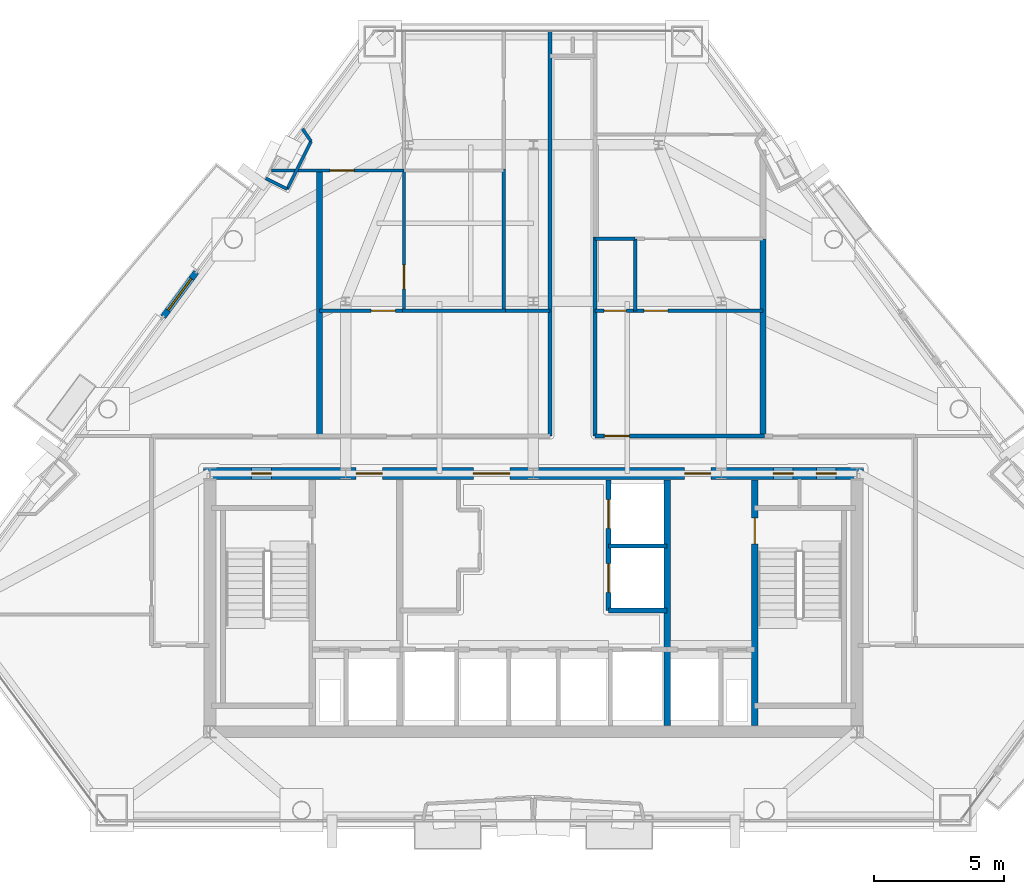
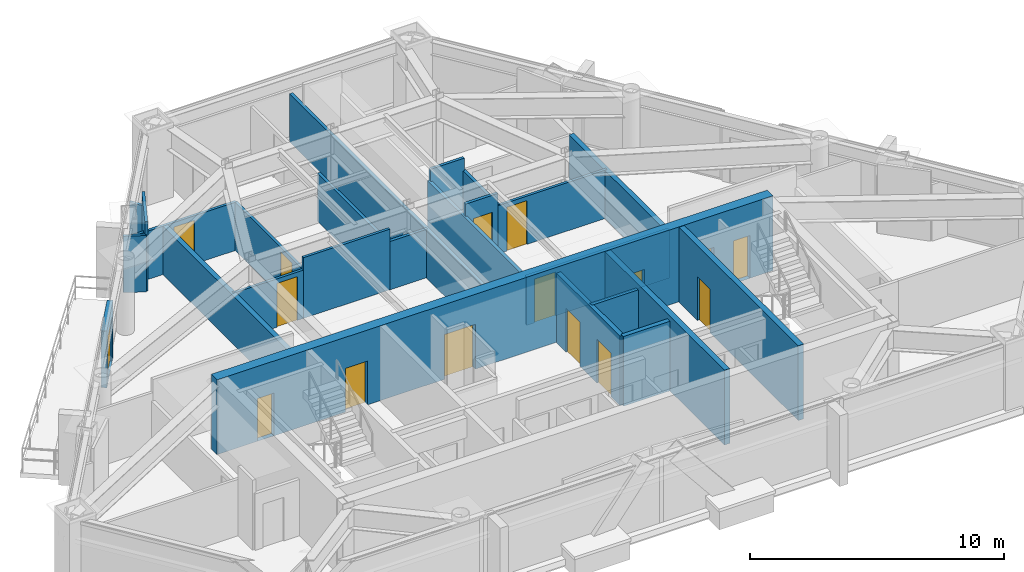
# One storey, part 8 of 11: 25 walls, 16 doors, 16 openings.
"""IFC4 building model written with IfcOpenShell, lengths in metres."""

from ifc_helpers import new_model, si_unit, direction, frame, frame_2d, origin, place, context, subcontext, project, spatial, rectangle, extrude, material, layer, layer_set, type_object, element, fill, save


model = new_model("IFC4")

# Units and contexts
model_context = context("Model", 3, precision=1e-05, world=origin(), true_north=direction((0.0, 1.0)))
body_context = subcontext(model_context, "Body", "Model", "MODEL_VIEW")
ifc_project = project(units=[si_unit("LENGTHUNIT", "METRE"), si_unit("AREAUNIT", "SQUARE_METRE"), si_unit("VOLUMEUNIT", "CUBIC_METRE"), si_unit("PLANEANGLEUNIT", "RADIAN"), si_unit("MASSUNIT", "GRAM", prefix="KILO")], contexts=[model_context])

# Site, building, storey
site_placement = place(None, origin())
site = spatial("IfcSite", under=ifc_project, at=site_placement, CompositionType="ELEMENT")
building_placement = place(site_placement, origin())
building = spatial("IfcBuilding", under=site, at=building_placement, Name="Talgorran Terracotta Tower", CompositionType="ELEMENT")
storey_placement = place(building_placement, frame((0.0, 0.0, 110.39990234375)))
storey = spatial("IfcBuildingStorey", under=building, at=storey_placement, Name="L28", CompositionType="ELEMENT", Elevation=110.39990234375)

# Wall, opening, door
ifc_material_1 = material(Name="Concrete C40/50", Category="concrete")
ifc_layer_1 = layer(ifc_material_1, 0.239990234375, Name="WT_BALCONY_SPAND")
ifc_layer_set_1 = layer_set([ifc_layer_1], Name="Concrete C40/50")
wall_type_1 = type_object("IfcWallType", Name="WT_BALCONY_SPAND", PredefinedType="STANDARD", material=ifc_layer_set_1)
wall_1_placement = place(storey_placement, frame((-12.92626953125, 3.52783203125, -0.014892578125), z_axis=(0.0, 0.0, 1.0), x_axis=(-0.594840056707, -0.803844081235, 0.0)))
wall_1 = element("IfcWall", 1, at=wall_1_placement, inside=storey, type_object=wall_type_1, Name="WL-L28-BALP-BAL-NW", PredefinedType="STANDARD", context=body_context, shape_type="SweptSolid", body=[
    extrude(rectangle(XDim=2.139892578125, YDim=0.239990234375, at=frame_2d((1.06982421875, 0.0))), origin(), (0.0, 0.0, 1.0), 2.728271484375),
])
opening_1_placement = place(wall_1_placement, frame((0.320068359375, 0.0, 0.014892578125)))
opening_1 = element("IfcOpeningElement", 2, at=opening_1_placement, cuts=wall_1, Name="Opening D-BAL-L28-2", PredefinedType="OPENING", context=body_context, shape_type="SweptSolid", body=[
    extrude(rectangle(XDim=1.506, YDim=2.203951171875, at=frame_2d((0.75, 1.10205078125))), frame((0.0, 0.1298828125, 0.0), z_axis=(0.0, -1.0, 0.0), x_axis=(1.0, 0.0, 0.0)), (0.0, 0.0, 1.0), 0.260009765625),
])
ifc_material_2 = material(Name="Thermally Broken Aluminium", Category="aluminium")
door_type_1 = type_object("IfcDoorType", Name="DT_BALC_1500", OperationType="SLIDING_TO_RIGHT", PredefinedType="DOOR", material=ifc_material_2)
door_1_placement = place(opening_1_placement, origin())
door_1 = element("IfcDoor", 3, at=door_1_placement, inside=storey, type_object=door_type_1, Name="DR-L28-BAL-BAL-NW", OperationType="SLIDING_TO_RIGHT", OverallHeight=2.199951171875, OverallWidth=1.5, PredefinedType="DOOR", context=body_context, shape_type="SweptSolid", body=[
    extrude(rectangle(XDim=1.5, YDim=2.199951171875, at=frame_2d((0.75, 1.10009765625))), frame((0.0, 0.02490234375, 0.0), z_axis=(0.0, -1.0, 0.0), x_axis=(1.0, 0.0, 0.0)), (0.0, 0.0, 1.0), 0.050048828125),
])
fill(opening_1, door_1)

# Wall, openings, doors
ifc_material_3 = material(Name="Concrete C50/60", Category="concrete")
ifc_layer_2 = layer(ifc_material_3, 0.199951171875, Name="WT_CORE_200")
ifc_layer_set_2 = layer_set([ifc_layer_2], Name="Concrete C50/60")
wall_type_2 = type_object("IfcWallType", Name="WT_CORE_200", PredefinedType="SOLIDWALL", material=ifc_layer_set_2)
wall_2_placement = place(storey_placement, frame((2.8798828125, -9.449951171875, 0.0), z_axis=(0.0, 0.0, 1.0), x_axis=(0.0, 1.0, 0.0)))
wall_2 = element("IfcWall", 4, at=wall_2_placement, inside=storey, type_object=wall_type_2, Name="WL-L28-CW-V-E3", PredefinedType="SOLIDWALL", context=body_context, shape_type="SweptSolid", body=[
    extrude(rectangle(XDim=5.0, YDim=0.199951171875, at=frame_2d((2.5, 0.0))), origin(), (0.0, 0.0, 1.0), 3.35009765625),
])
opening_2_placement = place(wall_2_placement, frame((0.699951171875, 0.0, 0.0)))
opening_2 = element("IfcOpeningElement", 5, at=opening_2_placement, cuts=wall_2, Name="Opening LD-PLM1", PredefinedType="OPENING", context=body_context, shape_type="SweptSolid", body=[
    extrude(rectangle(XDim=1.10609765625, YDim=2.10409765625, at=frame_2d((0.550048828125, 1.052001953125))), frame((0.0, 0.10986328125, 0.0), z_axis=(0.0, -1.0, 0.0), x_axis=(1.0, 0.0, 0.0)), (0.0, 0.0, 1.0), 0.219970703125),
])
opening_3_placement = place(wall_2_placement, frame((3.14990234375, 0.0, 0.0)))
opening_3 = element("IfcOpeningElement", 6, at=opening_3_placement, cuts=wall_2, Name="Opening LD-PLM2", PredefinedType="OPENING", context=body_context, shape_type="SweptSolid", body=[
    extrude(rectangle(XDim=1.10609765625, YDim=2.10409765625, at=frame_2d((0.550048828125, 1.052001953125))), frame((0.0, 0.10986328125, 0.0), z_axis=(0.0, -1.0, 0.0), x_axis=(1.0, 0.0, 0.0)), (0.0, 0.0, 1.0), 0.219970703125),
])
ifc_material_4 = material(Name="Brushed Stainless Steel Grade 304", Category="steel")
door_type_2 = type_object("IfcDoorType", Name="DT_LIFT_LD1100", OperationType="DOUBLE_DOOR_SLIDING", PredefinedType="DOOR", material=ifc_material_4)
door_2_placement = place(opening_2_placement, origin())
door_2 = element("IfcDoor", 7, at=door_2_placement, inside=storey, type_object=door_type_2, Name="L28 Lift Landing Door LD-PLM1", OperationType="DOUBLE_DOOR_SLIDING", OverallHeight=2.10009765625, OverallWidth=1.10009765625, PredefinedType="DOOR", context=body_context, shape_type="SweptSolid", body=[
    extrude(rectangle(XDim=1.10009765625, YDim=2.10009765625, at=frame_2d((0.550048828125, 1.050048828125))), frame((0.0, 0.02490234375, 0.0), z_axis=(0.0, -1.0, 0.0), x_axis=(1.0, 0.0, 0.0)), (0.0, 0.0, 1.0), 0.050048828125),
])
fill(opening_2, door_2)
door_3_placement = place(opening_3_placement, origin())
door_3 = element("IfcDoor", 8, at=door_3_placement, inside=storey, type_object=door_type_2, Name="L28 Lift Landing Door LD-PLM2", OperationType="DOUBLE_DOOR_SLIDING", OverallHeight=2.10009765625, OverallWidth=1.10009765625, PredefinedType="DOOR", context=body_context, shape_type="SweptSolid", body=[
    extrude(rectangle(XDim=1.10009765625, YDim=2.10009765625, at=frame_2d((0.550048828125, 1.050048828125))), frame((0.0, 0.02490234375, 0.0), z_axis=(0.0, -1.0, 0.0), x_axis=(1.0, 0.0, 0.0)), (0.0, 0.0, 1.0), 0.050048828125),
])
fill(opening_3, door_3)

# Wall
wall_3_placement = place(storey_placement, frame((2.8798828125, -9.449951171875, 0.0), z_axis=(0.0, 0.0, 1.0), x_axis=(1.0, 0.0, 0.0)))
element("IfcWall", 9, at=wall_3_placement, inside=storey, type_object=wall_type_2, Name="WL-L28-CW-H-E4", PredefinedType="SOLIDWALL", context=body_context, shape_type="SweptSolid", body=[
    extrude(rectangle(XDim=2.240234375, YDim=0.199951171875, at=frame_2d((1.1201171875, 0.0))), origin(), (0.0, 0.0, 1.0), 3.35009765625),
])

# Wall, opening, door
ifc_layer_3 = layer(ifc_material_3, 0.25, Name="WT_CORE_250")
ifc_layer_set_3 = layer_set([ifc_layer_3], Name="Concrete C50/60")
wall_type_3 = type_object("IfcWallType", Name="WT_CORE_250", PredefinedType="SHEAR", material=ifc_layer_set_3)
wall_4_placement = place(storey_placement, frame((8.47998046875, -13.85009765625, 0.0), z_axis=(0.0, 0.0, 1.0), x_axis=(0.0, 1.0, 0.0)))
wall_4 = element("IfcWall", 10, at=wall_4_placement, inside=storey, type_object=wall_type_3, Name="WL-L28-CW-V-E1", PredefinedType="SHEAR", context=body_context, shape_type="SweptSolid", body=[
    extrude(rectangle(XDim=9.400146484375, YDim=0.25, at=frame_2d((4.7001953125, 0.0))), origin(), (0.0, 0.0, 1.0), 3.60009765625),
])
opening_4_placement = place(wall_4_placement, frame((6.949951171875, 0.0, 0.0)))
opening_4 = element("IfcOpeningElement", 11, at=opening_4_placement, cuts=wall_4, Name="Opening DR-ST02", PredefinedType="OPENING", context=body_context, shape_type="SweptSolid", body=[
    extrude(rectangle(XDim=1.006, YDim=2.10409765625, at=frame_2d((0.5, 1.052001953125))), frame((0.0, 0.135009765625, 0.0), z_axis=(0.0, -1.0, 0.0), x_axis=(1.0, 0.0, 0.0)), (0.0, 0.0, 1.0), 0.27001953125),
])
ifc_material_5 = material(Name="Fire-Rated Pressed Steel", Category="steel")
door_type_3 = type_object("IfcDoorType", Name="DT_FIRE_1000", OperationType="NOTDEFINED", PredefinedType="DOOR", material=ifc_material_5)
door_4_placement = place(opening_4_placement, origin())
door_4 = element("IfcDoor", 12, at=door_4_placement, inside=storey, type_object=door_type_3, Name="DR-ST02", OperationType="SINGLE_SWING_RIGHT", OverallHeight=2.10009765625, OverallWidth=1.0, PredefinedType="DOOR", context=body_context, shape_type="SweptSolid", body=[
    extrude(rectangle(XDim=1.0, YDim=2.10009765625, at=frame_2d((0.5, 1.050048828125))), frame((0.0, 0.02490234375, 0.0), z_axis=(0.0, -1.0, 0.0), x_axis=(1.0, 0.0, 0.0)), (0.0, 0.0, 1.0), 0.050048828125),
])
fill(opening_4, door_4)

# Wall
wall_5_placement = place(storey_placement, frame((5.1201171875, -13.85009765625, 0.0), z_axis=(0.0, 0.0, 1.0), x_axis=(0.0, 1.0, 0.0)))
element("IfcWall", 13, at=wall_5_placement, inside=storey, type_object=wall_type_3, Name="WL-L28-CW-V-E2", PredefinedType="SHEAR", context=body_context, shape_type="SweptSolid", body=[
    extrude(rectangle(XDim=9.400146484375, YDim=0.25, at=frame_2d((4.7001953125, 0.0))), origin(), (0.0, 0.0, 1.0), 3.60009765625),
])

# Wall, openings, doors
ifc_material_6 = material(Name="Concrete C65/80", Category="concrete")
ifc_layer_4 = layer(ifc_material_6, 0.449951171875, Name="WT_CORE_EXT")
ifc_layer_set_4 = layer_set([ifc_layer_4], Name="Concrete C65/80")
wall_type_4 = type_object("IfcWallType", Name="WT_CORE_EXT", PredefinedType="SHEAR", material=ifc_layer_set_4)
wall_6_placement = place(storey_placement, frame((-12.64990234375, -4.199951171875, 0.0), z_axis=(0.0, 0.0, 1.0), x_axis=(1.0, 0.0, 0.0)))
wall_6 = element("IfcWall", 14, at=wall_6_placement, inside=storey, type_object=wall_type_4, Name="WL-L28-CW-OUT-N", PredefinedType="SHEAR", context=body_context, shape_type="SweptSolid", body=[
    extrude(rectangle(XDim=25.2998046875, YDim=0.449951171875, at=frame_2d((12.64990234375, 0.0))), origin(), (0.0, 0.0, 1.0), 3.60009765625),
])
opening_5_placement = place(wall_6_placement, frame((1.85009765625, 0.0, 0.0)))
opening_5 = element("IfcOpeningElement", 15, at=opening_5_placement, cuts=wall_6, Name="Opening DR-CSN1", PredefinedType="OPENING", context=body_context, shape_type="SweptSolid", body=[
    extrude(rectangle(XDim=0.756, YDim=2.054048828125, at=frame_2d((0.375, 1.027099609375))), frame((0.0, 0.23486328125, 0.0), z_axis=(0.0, -1.0, 0.0), x_axis=(1.0, 0.0, 0.0)), (0.0, 0.0, 1.0), 0.469970703125),
])
opening_6_placement = place(wall_6_placement, frame((21.85009765625, 0.0, 0.0)))
opening_6 = element("IfcOpeningElement", 16, at=opening_6_placement, cuts=wall_6, Name="Opening DR-CSN2", PredefinedType="OPENING", context=body_context, shape_type="SweptSolid", body=[
    extrude(rectangle(XDim=0.756, YDim=2.054048828125, at=frame_2d((0.375, 1.027099609375))), frame((0.0, 0.23486328125, 0.0), z_axis=(0.0, -1.0, 0.0), x_axis=(1.0, 0.0, 0.0)), (0.0, 0.0, 1.0), 0.469970703125),
])
opening_7_placement = place(wall_6_placement, frame((23.5, 0.0, 0.0)))
opening_7 = element("IfcOpeningElement", 17, at=opening_7_placement, cuts=wall_6, Name="Opening DR-CSN3", PredefinedType="OPENING", context=body_context, shape_type="SweptSolid", body=[
    extrude(rectangle(XDim=0.756, YDim=2.054048828125, at=frame_2d((0.375, 1.027099609375))), frame((0.0, 0.23486328125, 0.0), z_axis=(0.0, -1.0, 0.0), x_axis=(1.0, 0.0, 0.0)), (0.0, 0.0, 1.0), 0.469970703125),
])
opening_8_placement = place(wall_6_placement, frame((5.85009765625, 0.0, 0.0)))
opening_8 = element("IfcOpeningElement", 18, at=opening_8_placement, cuts=wall_6, Name="Opening DR-FFLW-N", PredefinedType="OPENING", context=body_context, shape_type="SweptSolid", body=[
    extrude(rectangle(XDim=1.006, YDim=2.10409765625, at=frame_2d((0.5, 1.052001953125))), frame((0.0, 0.23486328125, 0.0), z_axis=(0.0, -1.0, 0.0), x_axis=(1.0, 0.0, 0.0)), (0.0, 0.0, 1.0), 0.469970703125),
])
opening_9_placement = place(wall_6_placement, frame((10.35009765625, 0.0, 0.0)))
opening_9 = element("IfcOpeningElement", 19, at=opening_9_placement, cuts=wall_6, Name="Opening DR-PLL-N", PredefinedType="OPENING", context=body_context, shape_type="SweptSolid", body=[
    extrude(rectangle(XDim=1.40590234375, YDim=2.15390234375, at=frame_2d((0.699951171875, 1.076904296875))), frame((0.0, 0.23486328125, 0.0), z_axis=(0.0, -1.0, 0.0), x_axis=(1.0, 0.0, 0.0)), (0.0, 0.0, 1.0), 0.469970703125),
])
opening_10_placement = place(wall_6_placement, frame((18.449951171875, 0.0, 0.0)))
opening_10 = element("IfcOpeningElement", 20, at=opening_10_placement, cuts=wall_6, Name="Opening DR-FFLE-N", PredefinedType="OPENING", context=body_context, shape_type="SweptSolid", body=[
    extrude(rectangle(XDim=1.006, YDim=2.10409765625, at=frame_2d((0.5, 1.052001953125))), frame((0.0, 0.23486328125, 0.0), z_axis=(0.0, -1.0, 0.0), x_axis=(1.0, 0.0, 0.0)), (0.0, 0.0, 1.0), 0.469970703125),
])
ifc_material_7 = material(Name="Acoustic Glazed Timber", Category="wood")
door_type_4 = type_object("IfcDoorType", Name="DT_DOUBLE_1400", OperationType="DOUBLE_DOOR_SINGLE_SWING", PredefinedType="DOOR", material=ifc_material_7)
door_5_placement = place(opening_9_placement, origin())
door_5 = element("IfcDoor", 21, at=door_5_placement, inside=storey, type_object=door_type_4, Name="DR-PLL-N", OperationType="DOUBLE_DOOR_SINGLE_SWING", OverallHeight=2.14990234375, OverallWidth=1.39990234375, PredefinedType="DOOR", context=body_context, shape_type="SweptSolid", body=[
    extrude(rectangle(XDim=1.39990234375, YDim=2.14990234375, at=frame_2d((0.699951171875, 1.074951171875))), frame((0.0, 0.02490234375, 0.0), z_axis=(0.0, -1.0, 0.0), x_axis=(1.0, 0.0, 0.0)), (0.0, 0.0, 1.0), 0.050048828125),
])
fill(opening_9, door_5)
door_6_placement = place(opening_8_placement, origin())
door_6 = element("IfcDoor", 22, at=door_6_placement, inside=storey, type_object=door_type_3, Name="DR-FFLW-N", OperationType="SINGLE_SWING_LEFT", OverallHeight=2.10009765625, OverallWidth=1.0, PredefinedType="DOOR", context=body_context, shape_type="SweptSolid", body=[
    extrude(rectangle(XDim=1.0, YDim=2.10009765625, at=frame_2d((0.5, 1.050048828125))), frame((0.0, 0.02490234375, 0.0), z_axis=(0.0, -1.0, 0.0), x_axis=(1.0, 0.0, 0.0)), (0.0, 0.0, 1.0), 0.050048828125),
])
fill(opening_8, door_6)
door_7_placement = place(opening_10_placement, origin())
door_7 = element("IfcDoor", 23, at=door_7_placement, inside=storey, type_object=door_type_3, Name="DR-FFLE-N", OperationType="SINGLE_SWING_RIGHT", OverallHeight=2.10009765625, OverallWidth=1.0, PredefinedType="DOOR", context=body_context, shape_type="SweptSolid", body=[
    extrude(rectangle(XDim=1.0, YDim=2.10009765625, at=frame_2d((0.5, 1.050048828125))), frame((0.0, 0.02490234375, 0.0), z_axis=(0.0, -1.0, 0.0), x_axis=(1.0, 0.0, 0.0)), (0.0, 0.0, 1.0), 0.050048828125),
])
fill(opening_10, door_7)
door_type_5 = type_object("IfcDoorType", Name="DT_RISER_750", OperationType="NOTDEFINED", PredefinedType="DOOR", material=ifc_material_5)
door_8_placement = place(opening_5_placement, origin())
door_8 = element("IfcDoor", 24, at=door_8_placement, inside=storey, type_object=door_type_5, Name="DR-CSN1", OperationType="SINGLE_SWING_LEFT", OverallHeight=2.050048828125, OverallWidth=0.75, PredefinedType="DOOR", context=body_context, shape_type="SweptSolid", body=[
    extrude(rectangle(XDim=0.75, YDim=2.050048828125, at=frame_2d((0.375, 1.02490234375))), frame((0.0, 0.02490234375, 0.0), z_axis=(0.0, -1.0, 0.0), x_axis=(1.0, 0.0, 0.0)), (0.0, 0.0, 1.0), 0.050048828125),
])
fill(opening_5, door_8)
door_9_placement = place(opening_6_placement, origin())
door_9 = element("IfcDoor", 25, at=door_9_placement, inside=storey, type_object=door_type_5, Name="DR-CSN2", OperationType="SINGLE_SWING_LEFT", OverallHeight=2.050048828125, OverallWidth=0.75, PredefinedType="DOOR", context=body_context, shape_type="SweptSolid", body=[
    extrude(rectangle(XDim=0.75, YDim=2.050048828125, at=frame_2d((0.375, 1.02490234375))), frame((0.0, 0.02490234375, 0.0), z_axis=(0.0, -1.0, 0.0), x_axis=(1.0, 0.0, 0.0)), (0.0, 0.0, 1.0), 0.050048828125),
])
fill(opening_6, door_9)
door_10_placement = place(opening_7_placement, origin())
door_10 = element("IfcDoor", 26, at=door_10_placement, inside=storey, type_object=door_type_5, Name="DR-CSN3", OperationType="SINGLE_SWING_RIGHT", OverallHeight=2.050048828125, OverallWidth=0.75, PredefinedType="DOOR", context=body_context, shape_type="SweptSolid", body=[
    extrude(rectangle(XDim=0.75, YDim=2.050048828125, at=frame_2d((0.375, 1.02490234375))), frame((0.0, 0.02490234375, 0.0), z_axis=(0.0, -1.0, 0.0), x_axis=(1.0, 0.0, 0.0)), (0.0, 0.0, 1.0), 0.050048828125),
])
fill(opening_7, door_10)

# Wall
ifc_material_8 = material(Name="Fire-Rated Steel Stud Plasterboard", Category="steel")
ifc_layer_5 = layer(ifc_material_8, 0.14990234375, Name="WT_FIRE_150")
ifc_layer_set_5 = layer_set([ifc_layer_5], Name="Fire-Rated Steel Stud Plasterboard")
wall_type_5 = type_object("IfcWallType", Name="WT_FIRE_150", PredefinedType="PARTITIONING", material=ifc_layer_set_5)
wall_7_placement = place(storey_placement, frame((0.639892578125, -2.760009765625, 0.0), z_axis=(0.0, 0.0, 1.0), x_axis=(0.0, 1.0, 0.0)))
element("IfcWall", 27, at=wall_7_placement, inside=storey, type_object=wall_type_5, Name="WL-L28-W-L28-R09", PredefinedType="PARTITIONING", context=body_context, shape_type="SweptSolid", body=[
    extrude(rectangle(XDim=15.522216796875, YDim=0.14990234375, at=frame_2d((7.76123046875, 0.0))), origin(), (0.0, 0.0, 1.0), 2.3251953125),
])

# Wall, opening, door
wall_8_placement = place(storey_placement, frame((2.360107421875, -2.760009765625, 0.0), z_axis=(0.0, 0.0, 1.0), x_axis=(1.0, 0.0, 0.0)))
wall_8 = element("IfcWall", 28, at=wall_8_placement, inside=storey, type_object=wall_type_5, Name="WL-L28-W-L28-R12", PredefinedType="PARTITIONING", context=body_context, shape_type="SweptSolid", body=[
    extrude(rectangle(XDim=6.5, YDim=0.14990234375, at=frame_2d((3.25, 0.0))), origin(), (0.0, 0.0, 1.0), 2.3251953125),
])
opening_11_placement = place(wall_8_placement, frame((0.359619140625, 0.0, 0.0)))
opening_11 = element("IfcOpeningElement", 29, at=opening_11_placement, cuts=wall_8, Name="Opening DR-L28-R12", PredefinedType="OPENING", context=body_context, shape_type="SweptSolid", body=[
    extrude(rectangle(XDim=0.955951171875, YDim=2.10409765625, at=frame_2d((0.47509765625, 1.052001953125))), frame((0.0, 0.0849609375, 0.0), z_axis=(0.0, -1.0, 0.0), x_axis=(1.0, 0.0, 0.0)), (0.0, 0.0, 1.0), 0.169921875),
])
ifc_material_9 = material(Name="Fire-Rated Timber Core", Category="wood")
door_type_6 = type_object("IfcDoorType", Name="DT_FIRE_950", OperationType="NOTDEFINED", PredefinedType="DOOR", material=ifc_material_9)
door_11_placement = place(opening_11_placement, origin())
door_11 = element("IfcDoor", 30, at=door_11_placement, inside=storey, type_object=door_type_6, Name="DR-L28-R12", OperationType="SINGLE_SWING_RIGHT", OverallHeight=2.10009765625, OverallWidth=0.949951171875, PredefinedType="DOOR", context=body_context, shape_type="SweptSolid", body=[
    extrude(rectangle(XDim=0.949951171875, YDim=2.10009765625, at=frame_2d((0.47509765625, 1.050048828125))), frame((0.0, 0.02490234375, 0.0), z_axis=(0.0, -1.0, 0.0), x_axis=(1.0, 0.0, 0.0)), (0.0, 0.0, 1.0), 0.050048828125),
])
fill(opening_11, door_11)

# Walls
wall_9_placement = place(storey_placement, frame((2.360107421875, -2.760009765625, 0.0), z_axis=(0.0, 0.0, 1.0), x_axis=(0.0, 1.0, 0.0)))
element("IfcWall", 31, at=wall_9_placement, inside=storey, type_object=wall_type_5, Name="WL-L28-W-L28-R11", PredefinedType="PARTITIONING", context=body_context, shape_type="SweptSolid", body=[
    extrude(rectangle(XDim=7.6201171875, YDim=0.14990234375, at=frame_2d((3.81005859375, 0.0))), origin(), (0.0, 0.0, 1.0), 2.3251953125),
])
ifc_material_10 = material(Name="Acoustic Masonry and Plasterboard", Category="masonry")
ifc_layer_6 = layer(ifc_material_10, 0.219970703125, Name="WT_PARTY_220")
ifc_layer_set_6 = layer_set([ifc_layer_6], Name="Acoustic Masonry and Plasterboard")
wall_type_6 = type_object("IfcWallType", Name="WT_PARTY_220", PredefinedType="PARTITIONING", material=ifc_layer_set_6)
wall_10_placement = place(storey_placement, frame((-8.199951171875, -2.760009765625, 0.0), z_axis=(0.0, 0.0, 1.0), x_axis=(0.0, 1.0, 0.0)))
element("IfcWall", 32, at=wall_10_placement, inside=storey, type_object=wall_type_6, Name="WL-L28-W-L28-R23", PredefinedType="PARTITIONING", context=body_context, shape_type="SweptSolid", body=[
    extrude(rectangle(XDim=10.239990234375, YDim=0.219970703125, at=frame_2d((5.1201171875, 0.0))), origin(), (0.0, 0.0, 1.0), 2.3251953125),
])
wall_11_placement = place(storey_placement, frame((8.800048828125, -2.760009765625, 0.0), z_axis=(0.0, 0.0, 1.0), x_axis=(0.0, 1.0, 0.0)))
element("IfcWall", 33, at=wall_11_placement, inside=storey, type_object=wall_type_6, Name="WL-L28-W-L28-R35", PredefinedType="PARTITIONING", context=body_context, shape_type="SweptSolid", body=[
    extrude(rectangle(XDim=7.56005859375, YDim=0.219970703125, at=frame_2d((3.780029296875, 0.0))), origin(), (0.0, 0.0, 1.0), 2.3251953125),
])

# Wall, opening, door
ifc_material_11 = material(Name="Insulated Steel Stud Plasterboard", Category="steel")
ifc_layer_7 = layer(ifc_material_11, 0.1201171875, Name="WT_PART_120")
ifc_layer_set_7 = layer_set([ifc_layer_7], Name="Insulated Steel Stud Plasterboard")
wall_type_7 = type_object("IfcWallType", Name="WT_PART_120", PredefinedType="PARTITIONING", material=ifc_layer_set_7)
wall_12_placement = place(storey_placement, frame((-4.9599609375, 2.0400390625, 0.0), z_axis=(0.0, 0.0, 1.0), x_axis=(0.0, 1.0, 0.0)))
wall_12 = element("IfcWall", 34, at=wall_12_placement, inside=storey, type_object=wall_type_7, Name="WL-L28-W-L28-R29", PredefinedType="PARTITIONING", context=body_context, shape_type="SweptSolid", body=[
    extrude(rectangle(XDim=5.3798828125, YDim=0.1201171875, at=frame_2d((2.68994140625, 0.0))), origin(), (0.0, 0.0, 1.0), 2.3251953125),
])
opening_12_placement = place(wall_12_placement, frame((0.836669921875, 0.0, 0.0)))
opening_12 = element("IfcOpeningElement", 35, at=opening_12_placement, cuts=wall_12, Name="Opening DR-L28-R09", PredefinedType="OPENING", context=body_context, shape_type="SweptSolid", body=[
    extrude(rectangle(XDim=0.925921875, YDim=2.10409765625, at=frame_2d((0.4599609375, 1.052001953125))), frame((0.0, 0.070068359375, 0.0), z_axis=(0.0, -1.0, 0.0), x_axis=(1.0, 0.0, 0.0)), (0.0, 0.0, 1.0), 0.14013671875),
])
ifc_material_12 = material(Name="Solid-Core Painted Timber", Category="wood")
door_type_7 = type_object("IfcDoorType", Name="DT_INT_920", OperationType="NOTDEFINED", PredefinedType="DOOR", material=ifc_material_12)
door_12_placement = place(opening_12_placement, origin())
door_12 = element("IfcDoor", 36, at=door_12_placement, inside=storey, type_object=door_type_7, Name="DR-L28-R09", OperationType="SINGLE_SWING_LEFT", OverallHeight=2.10009765625, OverallWidth=0.919921875, PredefinedType="DOOR", context=body_context, shape_type="SweptSolid", body=[
    extrude(rectangle(XDim=0.919921875, YDim=2.10009765625, at=frame_2d((0.4599609375, 1.050048828125))), frame((0.0, 0.02490234375, 0.0), z_axis=(0.0, -1.0, 0.0), x_axis=(1.0, 0.0, 0.0)), (0.0, 0.0, 1.0), 0.050048828125),
])
fill(opening_12, door_12)

wall_13_placement = place(storey_placement, frame((-10.04541015625, 7.419921875, 0.0), z_axis=(0.0, 0.0, 1.0), x_axis=(1.0, 0.0, 0.0)))
wall_13 = element("IfcWall", 37, at=wall_13_placement, inside=storey, type_object=wall_type_7, Name="WL-L28-W-L28-R30", PredefinedType="PARTITIONING", context=body_context, shape_type="SweptSolid", body=[
    extrude(rectangle(XDim=5.08544921875, YDim=0.1201171875, at=frame_2d((2.542724609375, 0.0))), origin(), (0.0, 0.0, 1.0), 2.3251953125),
])
opening_13_placement = place(wall_13_placement, frame((2.24560546875, 0.0, 0.0)))
opening_13 = element("IfcOpeningElement", 38, at=opening_13_placement, cuts=wall_13, Name="Opening DR-L28-R10", PredefinedType="OPENING", context=body_context, shape_type="SweptSolid", body=[
    extrude(rectangle(XDim=0.925921875, YDim=2.10409765625, at=frame_2d((0.4599609375, 1.052001953125))), frame((0.0, 0.070068359375, 0.0), z_axis=(0.0, -1.0, 0.0), x_axis=(1.0, 0.0, 0.0)), (0.0, 0.0, 1.0), 0.14013671875),
])
door_13_placement = place(opening_13_placement, origin())
door_13 = element("IfcDoor", 39, at=door_13_placement, inside=storey, type_object=door_type_7, Name="DR-L28-R10", OperationType="SINGLE_SWING_RIGHT", OverallHeight=2.10009765625, OverallWidth=0.919921875, PredefinedType="DOOR", context=body_context, shape_type="SweptSolid", body=[
    extrude(rectangle(XDim=0.919921875, YDim=2.10009765625, at=frame_2d((0.4599609375, 1.050048828125))), frame((0.0, 0.02490234375, 0.0), z_axis=(0.0, -1.0, 0.0), x_axis=(1.0, 0.0, 0.0)), (0.0, 0.0, 1.0), 0.050048828125),
])
fill(opening_13, door_13)

wall_14_placement = place(storey_placement, frame((3.840087890625, 2.0400390625, 0.0), z_axis=(0.0, 0.0, 1.0), x_axis=(1.0, 0.0, 0.0)))
wall_14 = element("IfcWall", 40, at=wall_14_placement, inside=storey, type_object=wall_type_7, Name="WL-L28-W-L28-R34", PredefinedType="PARTITIONING", context=body_context, shape_type="SweptSolid", body=[
    extrude(rectangle(XDim=4.9599609375, YDim=0.1201171875, at=frame_2d((2.47998046875, 0.0))), origin(), (0.0, 0.0, 1.0), 2.3251953125),
])
opening_14_placement = place(wall_14_placement, frame((0.397216796875, 0.0, 0.0)))
opening_14 = element("IfcOpeningElement", 41, at=opening_14_placement, cuts=wall_14, Name="Opening DR-L28-R14", PredefinedType="OPENING", context=body_context, shape_type="SweptSolid", body=[
    extrude(rectangle(XDim=0.925921875, YDim=2.10409765625, at=frame_2d((0.4599609375, 1.052001953125))), frame((0.0, 0.070068359375, 0.0), z_axis=(0.0, -1.0, 0.0), x_axis=(1.0, 0.0, 0.0)), (0.0, 0.0, 1.0), 0.14013671875),
])
door_14_placement = place(opening_14_placement, origin())
door_14 = element("IfcDoor", 42, at=door_14_placement, inside=storey, type_object=door_type_7, Name="DR-L28-R14", OperationType="SINGLE_SWING_RIGHT", OverallHeight=2.10009765625, OverallWidth=0.919921875, PredefinedType="DOOR", context=body_context, shape_type="SweptSolid", body=[
    extrude(rectangle(XDim=0.919921875, YDim=2.10009765625, at=frame_2d((0.4599609375, 1.050048828125))), frame((0.0, 0.02490234375, 0.0), z_axis=(0.0, -1.0, 0.0), x_axis=(1.0, 0.0, 0.0)), (0.0, 0.0, 1.0), 0.050048828125),
])
fill(opening_14, door_14)

# Wall
wall_15_placement = place(storey_placement, frame((-5.02001953125, 2.0400390625, 0.0), z_axis=(0.0, 0.0, 1.0), x_axis=(1.0, 0.0, 0.0)))
element("IfcWall", 43, at=wall_15_placement, inside=storey, type_object=wall_type_7, Name="WL-L28-W-L28-R26", PredefinedType="PARTITIONING", context=body_context, shape_type="SweptSolid", body=[
    extrude(rectangle(XDim=3.93994140625, YDim=0.1201171875, at=frame_2d((1.969970703125, 0.0))), origin(), (0.0, 0.0, 1.0), 2.918701171875),
])

# Wall, opening, door
wall_16_placement = place(storey_placement, frame((-8.199951171875, 2.0400390625, 0.0), z_axis=(0.0, 0.0, 1.0), x_axis=(1.0, 0.0, 0.0)))
wall_16 = element("IfcWall", 44, at=wall_16_placement, inside=storey, type_object=wall_type_7, Name="WL-L28-W-L28-R25", PredefinedType="PARTITIONING", context=body_context, shape_type="SweptSolid", body=[
    extrude(rectangle(XDim=3.177978515625, YDim=0.1201171875, at=frame_2d((1.5888671875, 0.0))), origin(), (0.0, 0.0, 1.0), 2.3251953125),
])
opening_15_placement = place(wall_16_placement, frame((1.982666015625, 0.0, 0.0)))
opening_15 = element("IfcOpeningElement", 45, at=opening_15_placement, cuts=wall_16, Name="Opening DR-L28-R08", PredefinedType="OPENING", context=body_context, shape_type="SweptSolid", body=[
    extrude(rectangle(XDim=0.925921875, YDim=2.10409765625, at=frame_2d((0.4599609375, 1.052001953125))), frame((0.0, 0.070068359375, 0.0), z_axis=(0.0, -1.0, 0.0), x_axis=(1.0, 0.0, 0.0)), (0.0, 0.0, 1.0), 0.14013671875),
])
door_15_placement = place(opening_15_placement, origin())
door_15 = element("IfcDoor", 46, at=door_15_placement, inside=storey, type_object=door_type_7, Name="DR-L28-R08", OperationType="SINGLE_SWING_RIGHT", OverallHeight=2.10009765625, OverallWidth=0.919921875, PredefinedType="DOOR", context=body_context, shape_type="SweptSolid", body=[
    extrude(rectangle(XDim=0.919921875, YDim=2.10009765625, at=frame_2d((0.4599609375, 1.050048828125))), frame((0.0, 0.02490234375, 0.0), z_axis=(0.0, -1.0, 0.0), x_axis=(1.0, 0.0, 0.0)), (0.0, 0.0, 1.0), 0.050048828125),
])
fill(opening_15, door_15)

# Walls
wall_17_placement = place(storey_placement, frame((-8.5234375, 8.533203125, 0.0), z_axis=(0.0, 0.0, 1.0), x_axis=(-0.44873934971, -0.893662685817, 0.0)))
element("IfcWall", 47, at=wall_17_placement, inside=storey, type_object=wall_type_7, Name="WL-L28-BW-L28-15", PredefinedType="PARTITIONING", context=body_context, shape_type="SweptSolid", body=[
    extrude(rectangle(XDim=2.04736328125, YDim=0.1201171875, at=frame_2d((1.023681640625, 0.0))), origin(), (0.0, 0.0, 1.0), 3.35009765625),
])
wall_18_placement = place(storey_placement, frame((-9.442138671875, 6.70361328125, 0.0), z_axis=(0.0, 0.0, 1.0), x_axis=(-0.893678540504, 0.448707773771, 0.0)))
element("IfcWall", 48, at=wall_18_placement, inside=storey, type_object=wall_type_7, Name="WL-L28-BW-L28-16", PredefinedType="PARTITIONING", context=body_context, shape_type="SweptSolid", body=[
    extrude(rectangle(XDim=0.91455078125, YDim=0.1201171875, at=frame_2d((0.457275390625, 0.0))), origin(), (0.0, 0.0, 1.0), 2.71337890625),
])
wall_19_placement = place(storey_placement, frame((-8.854736328125, 9.011962890625, 0.0), z_axis=(0.0, 0.0, 1.0), x_axis=(0.569035523294, -0.822312941179, 0.0)))
element("IfcWall", 49, at=wall_19_placement, inside=storey, type_object=wall_type_7, Name="WL-L28-BW-L28-14", PredefinedType="PARTITIONING", context=body_context, shape_type="SweptSolid", body=[
    extrude(rectangle(XDim=0.582275390625, YDim=0.1201171875, at=frame_2d((0.291015625, 0.0))), origin(), (0.0, 0.0, 1.0), 2.71337890625),
])
ifc_material_13 = material(Name="Moisture-Resistant Stud Wall")
ifc_layer_8 = layer(ifc_material_13, 0.135009765625, Name="WT_PART_135")
ifc_layer_set_8 = layer_set([ifc_layer_8], Name="Moisture-Resistant Stud Wall")
wall_type_8 = type_object("IfcWallType", Name="WT_PART_135", PredefinedType="PARTITIONING", material=ifc_layer_set_8)
wall_20_placement = place(storey_placement, frame((-1.139892578125, 2.0400390625, 0.0), z_axis=(0.0, 0.0, 1.0), x_axis=(0.0, 1.0, 0.0)))
element("IfcWall", 50, at=wall_20_placement, inside=storey, type_object=wall_type_8, Name="WL-L28-W-L28-R27", PredefinedType="PARTITIONING", context=body_context, shape_type="SweptSolid", body=[
    extrude(rectangle(XDim=5.43994140625, YDim=0.135009765625, at=frame_2d((2.719970703125, 0.0))), origin(), (0.0, 0.0, 1.0), 2.3251953125),
])
wall_21_placement = place(storey_placement, frame((3.89990234375, 2.0400390625, 0.0), z_axis=(0.0, 0.0, 1.0), x_axis=(0.0, 1.0, 0.0)))
element("IfcWall", 51, at=wall_21_placement, inside=storey, type_object=wall_type_8, Name="WL-L28-W-L28-R36", PredefinedType="PARTITIONING", context=body_context, shape_type="SweptSolid", body=[
    extrude(rectangle(XDim=2.760009765625, YDim=0.135009765625, at=frame_2d((1.3798828125, 0.0))), origin(), (0.0, 0.0, 1.0), 2.3251953125),
])
wall_22_placement = place(storey_placement, frame((-1.077880859375, 2.0400390625, 0.0), z_axis=(0.0, 0.0, 1.0), x_axis=(1.0, 0.0, 0.0)))
element("IfcWall", 52, at=wall_22_placement, inside=storey, type_object=wall_type_8, Name="WL-L28-W-L28-R24", PredefinedType="PARTITIONING", context=body_context, shape_type="SweptSolid", body=[
    extrude(rectangle(XDim=1.7177734375, YDim=0.135009765625, at=frame_2d((0.85888671875, 0.0))), origin(), (0.0, 0.0, 1.0), 2.3251953125),
])

# Wall, opening, door
wall_23_placement = place(storey_placement, frame((2.360107421875, 2.0400390625, 0.0), z_axis=(0.0, 0.0, 1.0), x_axis=(1.0, 0.0, 0.0)))
wall_23 = element("IfcWall", 53, at=wall_23_placement, inside=storey, type_object=wall_type_8, Name="WL-L28-W-L28-R33", PredefinedType="PARTITIONING", context=body_context, shape_type="SweptSolid", body=[
    extrude(rectangle(XDim=1.477783203125, YDim=0.135009765625, at=frame_2d((0.73876953125, 0.0))), origin(), (0.0, 0.0, 1.0), 2.918701171875),
])
opening_16_placement = place(wall_23_placement, frame((0.35546875, 0.0, 0.0)))
opening_16 = element("IfcOpeningElement", 54, at=opening_16_placement, cuts=wall_23, Name="Opening DR-L28-R13", PredefinedType="OPENING", context=body_context, shape_type="SweptSolid", body=[
    extrude(rectangle(XDim=0.85609765625, YDim=2.10409765625, at=frame_2d((0.425048828125, 1.052001953125))), frame((0.0, 0.07763671875, 0.0), z_axis=(0.0, -1.0, 0.0), x_axis=(1.0, 0.0, 0.0)), (0.0, 0.0, 1.0), 0.155029296875),
])
ifc_material_14 = material(Name="Moisture-Resistant Solid Timber", Category="wood")
door_type_8 = type_object("IfcDoorType", Name="DT_INT_850", OperationType="NOTDEFINED", PredefinedType="DOOR", material=ifc_material_14)
door_16_placement = place(opening_16_placement, origin())
door_16 = element("IfcDoor", 55, at=door_16_placement, inside=storey, type_object=door_type_8, Name="DR-L28-R13", OperationType="SINGLE_SWING_LEFT", OverallHeight=2.10009765625, OverallWidth=0.85009765625, PredefinedType="DOOR", context=body_context, shape_type="SweptSolid", body=[
    extrude(rectangle(XDim=0.85009765625, YDim=2.10009765625, at=frame_2d((0.425048828125, 1.050048828125))), frame((0.0, 0.02490234375, 0.0), z_axis=(0.0, -1.0, 0.0), x_axis=(1.0, 0.0, 0.0)), (0.0, 0.0, 1.0), 0.050048828125),
])
fill(opening_16, door_16)

# Walls
wall_24_placement = place(storey_placement, frame((2.360107421875, 4.800048828125, 0.0), z_axis=(0.0, 0.0, 1.0), x_axis=(1.0, 0.0, 0.0)))
element("IfcWall", 56, at=wall_24_placement, inside=storey, type_object=wall_type_8, Name="WL-L28-W-L28-R37", PredefinedType="PARTITIONING", context=body_context, shape_type="SweptSolid", body=[
    extrude(rectangle(XDim=1.539794921875, YDim=0.135009765625, at=frame_2d((0.77001953125, 0.0))), origin(), (0.0, 0.0, 1.0), 2.918701171875),
])
ifc_material_15 = material(Name="Fire-Rated Shaftwall")
ifc_layer_9 = layer(ifc_material_15, 0.159912109375, Name="WT_PART_150")
ifc_layer_set_9 = layer_set([ifc_layer_9], Name="Fire-Rated Shaftwall")
wall_type_9 = type_object("IfcWallType", Name="WT_PART_150", PredefinedType="PARTITIONING", material=ifc_layer_set_9)
wall_25_placement = place(storey_placement, frame((2.8798828125, -6.97998046875, 0.0), z_axis=(0.0, 0.0, 1.0), x_axis=(1.0, 0.0, 0.0)))
element("IfcWall", 57, at=wall_25_placement, inside=storey, type_object=wall_type_9, Name="WL-L28-CW-PLM-DIV", PredefinedType="PARTITIONING", context=body_context, shape_type="SweptSolid", body=[
    extrude(rectangle(XDim=2.240234375, YDim=0.159912109375, at=frame_2d((1.1201171875, 0.0))), origin(), (0.0, 0.0, 1.0), 3.35009765625),
])

save(model, "model.ifc")
